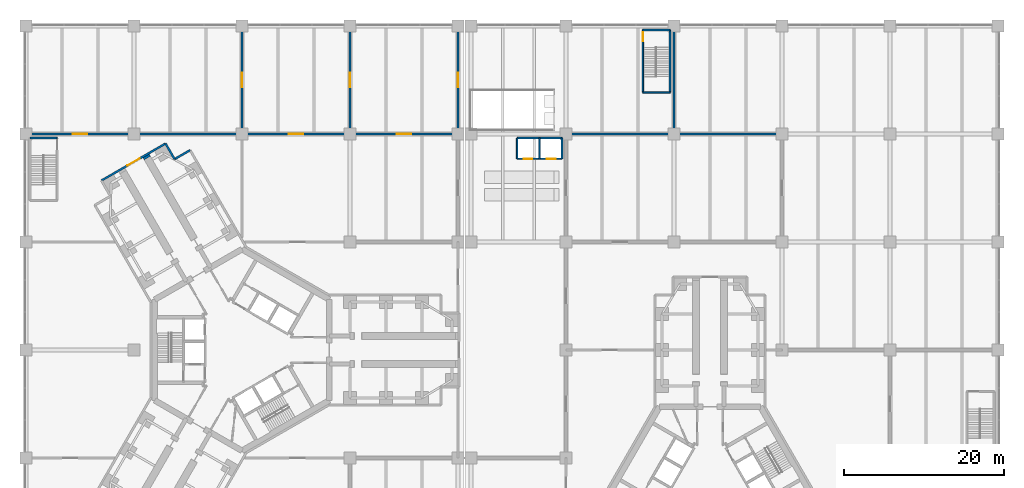
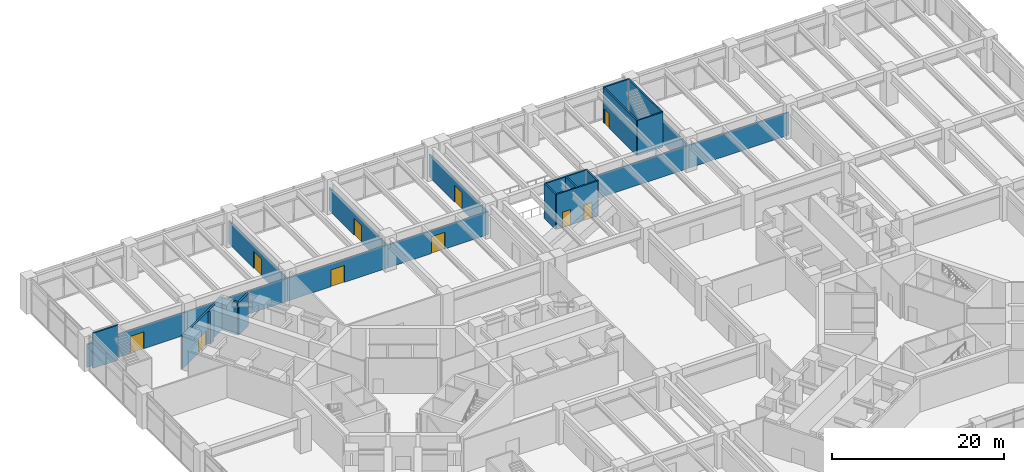
# One storey, part 28 of 32: 24 walls, 10 doors, 10 openings.
"""IFC4 building model written with IfcOpenShell, lengths in metres."""

from ifc_helpers import new_model, si_unit, direction, frame, frame_2d, origin, place, context, subcontext, project, spatial, rectangle, extrude, material, layer, layer_set, type_object, element, fill, save


model = new_model("IFC4")

# Units and contexts
model_context = context("Model", 3, precision=1e-05, world=origin(), true_north=direction((0.0, 1.0)))
body_context = subcontext(model_context, "Body", "Model", "MODEL_VIEW")
ifc_project = project(units=[si_unit("LENGTHUNIT", "METRE"), si_unit("AREAUNIT", "SQUARE_METRE"), si_unit("VOLUMEUNIT", "CUBIC_METRE"), si_unit("PLANEANGLEUNIT", "RADIAN"), si_unit("MASSUNIT", "GRAM", prefix="KILO")], contexts=[model_context])

# Site, building, storey
site_placement = place(None, origin())
site = spatial("IfcSite", under=ifc_project, at=site_placement, CompositionType="ELEMENT")
building_placement = place(site_placement, origin())
building = spatial("IfcBuilding", under=site, at=building_placement, Name="Upepo Twin Towers", CompositionType="ELEMENT")
storey_placement = place(building_placement, frame((0.0, 0.0, 10.5)))
storey = spatial("IfcBuildingStorey", under=building, at=storey_placement, Name="L02", CompositionType="ELEMENT", Elevation=10.5)

# Wall
ifc_material_1 = material(Name="Dense concrete blockwork", Category="masonry")
ifc_layer_1 = layer(ifc_material_1, 0.89990234375)
ifc_layer_set_1 = layer_set([ifc_layer_1], Name="Buttress closer 900, blockwork with fire-stopping to the curtain wall")
wall_type_1 = type_object("IfcWallType", Name="Buttress closer 900, blockwork with fire-stopping to the curtain wall", PredefinedType="PARTITIONING", material=ifc_layer_set_1)
wall_1_placement = place(storey_placement, frame((-11.83447265625, 23.997802734375, 0.0), z_axis=(0.0, 0.0, 1.0), x_axis=(-0.499816412211, 0.866131372301, 0.0)))
element("IfcWall", 1, at=wall_1_placement, inside=storey, type_object=wall_type_1, Name="T1 L02 wing B buttress closer R", PredefinedType="PARTITIONING", context=body_context, shape_type="SweptSolid", body=[
    extrude(rectangle(XDim=0.2998046875, YDim=0.89990234375, at=frame_2d((0.14990234375, 0.0))), origin(), (0.0, 0.0, 1.0), 4.64990234375),
])

# Wall, openings, doors
ifc_material_2 = material(Name="Concrete C40/50", Category="concrete")
ifc_layer_2 = layer(ifc_material_2, 0.199951171875)
ifc_layer_set_2 = layer_set([ifc_layer_2], Name="Concrete C40/50")
wall_type_2 = type_object("IfcWallType", Name="Podium lift shaft wall 200 RC", PredefinedType="SHEAR", material=ifc_layer_set_2)
wall_2_placement = place(storey_placement, frame((34.39990234375, 23.89990234375, 0.0), z_axis=(0.0, 0.0, 1.0), x_axis=(1.0, 0.0, 0.0)))
wall_2 = element("IfcWall", 2, at=wall_2_placement, inside=storey, type_object=wall_type_2, Name="Podium lift shaft L02 wall 1", PredefinedType="SHEAR", context=body_context, shape_type="SweptSolid", body=[
    extrude(rectangle(XDim=5.60009765625, YDim=0.199951171875, at=frame_2d((2.800048828125, 0.0))), origin(), (0.0, 0.0, 1.0), 5.0),
])
opening_1_placement = place(wall_2_placement, frame((3.699951171875, 0.0, 0.0)))
opening_1 = element("IfcOpeningElement", 3, at=opening_1_placement, cuts=wall_2, Name="Opening LD1", PredefinedType="OPENING", context=body_context, shape_type="SweptSolid", body=[
    extrude(rectangle(XDim=1.10009765625, YDim=2.199951171875, at=frame_2d((0.550048828125, 1.10009765625))), frame((0.0, 0.10986328125, 0.0), z_axis=(0.0, -1.0, 0.0), x_axis=(1.0, 0.0, 0.0)), (0.0, 0.0, 1.0), 0.219970703125),
])
opening_2_placement = place(wall_2_placement, frame((0.800048828125, 0.0, 0.0)))
opening_2 = element("IfcOpeningElement", 4, at=opening_2_placement, cuts=wall_2, Name="Opening LD1", PredefinedType="OPENING", context=body_context, shape_type="SweptSolid", body=[
    extrude(rectangle(XDim=1.10009765625, YDim=2.199951171875, at=frame_2d((0.550048828125, 1.10009765625))), frame((0.0, 0.10986328125, 0.0), z_axis=(0.0, -1.0, 0.0), x_axis=(1.0, 0.0, 0.0)), (0.0, 0.0, 1.0), 0.219970703125),
])
ifc_material_3 = material(Name="Steel doorset", Category="steel")
door_type_1 = type_object("IfcDoorType", Name="Lift landing door 1100", OperationType="DOUBLE_DOOR_SLIDING", PredefinedType="DOOR", material=ifc_material_3)
door_1_placement = place(opening_1_placement, origin())
door_1 = element("IfcDoor", 5, at=door_1_placement, inside=storey, type_object=door_type_1, Name="Podium L02 lift PL1 landing door", OperationType="DOUBLE_DOOR_SLIDING", OverallHeight=2.199951171875, OverallWidth=1.10009765625, PredefinedType="DOOR", context=body_context, shape_type="SweptSolid", body=[
    extrude(rectangle(XDim=1.10009765625, YDim=2.199951171875, at=frame_2d((0.550048828125, 1.10009765625))), frame((0.0, 0.02490234375, 0.0), z_axis=(0.0, -1.0, 0.0), x_axis=(1.0, 0.0, 0.0)), (0.0, 0.0, 1.0), 0.050048828125),
])
fill(opening_1, door_1)
door_2_placement = place(opening_2_placement, origin())
door_2 = element("IfcDoor", 6, at=door_2_placement, inside=storey, type_object=door_type_1, Name="Podium L02 lift PL2 landing door", OperationType="DOUBLE_DOOR_SLIDING", OverallHeight=2.199951171875, OverallWidth=1.10009765625, PredefinedType="DOOR", context=body_context, shape_type="SweptSolid", body=[
    extrude(rectangle(XDim=1.10009765625, YDim=2.199951171875, at=frame_2d((0.550048828125, 1.10009765625))), frame((0.0, 0.02490234375, 0.0), z_axis=(0.0, -1.0, 0.0), x_axis=(1.0, 0.0, 0.0)), (0.0, 0.0, 1.0), 0.050048828125),
])
fill(opening_2, door_2)

# Walls
wall_3_placement = place(storey_placement, frame((40.0, 23.89990234375, 0.0), z_axis=(0.0, 0.0, 1.0), x_axis=(0.0, 1.0, 0.0)))
element("IfcWall", 7, at=wall_3_placement, inside=storey, type_object=wall_type_2, Name="Podium lift shaft L02 wall 2", PredefinedType="SHEAR", context=body_context, shape_type="SweptSolid", body=[
    extrude(rectangle(XDim=2.60009765625, YDim=0.199951171875, at=frame_2d((1.300048828125, 0.0))), origin(), (0.0, 0.0, 1.0), 5.0),
])
wall_4_placement = place(storey_placement, frame((40.0, 26.5, 0.0), z_axis=(0.0, 0.0, 1.0), x_axis=(-1.0, 0.0, 0.0)))
element("IfcWall", 8, at=wall_4_placement, inside=storey, type_object=wall_type_2, Name="Podium lift shaft L02 wall 3", PredefinedType="SHEAR", context=body_context, shape_type="SweptSolid", body=[
    extrude(rectangle(XDim=5.60009765625, YDim=0.199951171875, at=frame_2d((2.800048828125, 0.0))), origin(), (0.0, 0.0, 1.0), 5.0),
])
for number, where, z_axis, x_axis, name in (
    (9, (34.39990234375, 26.5, 0.0), (0.0, 0.0, 1.0), (0.0, -1.0, 0.0), "Podium lift shaft L02 wall 4"),
    (10, (37.199951171875, 23.89990234375, 0.0), (0.0, 0.0, 1.0), (0.0, 1.0, 0.0), "Podium lift shaft L02 wall 5"),
):
    element("IfcWall", number, at=place(storey_placement, frame(where, z_axis=z_axis, x_axis=x_axis)), inside=storey, type_object=wall_type_2, Name=name, PredefinedType="SHEAR", context=body_context, shape_type="SweptSolid", body=[
        extrude(rectangle(XDim=2.60009765625, YDim=0.199951171875, at=frame_2d((1.300048828125, 0.0))), origin(), (0.0, 0.0, 1.0), 5.0),
    ])

# Wall, opening, door
ifc_material_4 = material(Name="Concrete blockwork", Category="masonry")
ifc_layer_3 = layer(ifc_material_4, 0.199951171875)
ifc_layer_set_3 = layer_set([ifc_layer_3], Name="Podium partition 200 blockwork")
wall_type_3 = type_object("IfcWallType", Name="Podium partition 200 blockwork", PredefinedType="PARTITIONING", material=ifc_layer_set_3)
wall_5_placement = place(storey_placement, frame((-27.0, 27.0, 0.0), z_axis=(0.0, 0.0, 1.0), x_axis=(1.0, 0.0, 0.0)))
wall_5 = element("IfcWall", 11, at=wall_5_placement, inside=storey, type_object=wall_type_3, Name="L02 podium wall Y05", PredefinedType="PARTITIONING", context=body_context, shape_type="SweptSolid", body=[
    extrude(rectangle(XDim=13.5, YDim=0.199951171875, at=frame_2d((6.75, 0.0))), origin(), (0.0, 0.0, 1.0), 3.25),
])
opening_3_placement = place(wall_5_placement, frame((5.85009765625, 0.0, 0.0)))
opening_3 = element("IfcOpeningElement", 12, at=opening_3_placement, cuts=wall_5, Name="Opening D10", PredefinedType="OPENING", context=body_context, shape_type="SweptSolid", body=[
    extrude(rectangle(XDim=1.800048828125, YDim=2.39990234375, at=frame_2d((0.89990234375, 1.199951171875))), frame((0.0, 0.10986328125, 0.0), z_axis=(0.0, -1.0, 0.0), x_axis=(1.0, 0.0, 0.0)), (0.0, 0.0, 1.0), 0.219970703125),
])
ifc_material_5 = material(Name="Timber doorset", Category="wood")
door_type_2 = type_object("IfcDoorType", Name="Podium double door 1800", OperationType="DOUBLE_DOOR_DOUBLE_SWING", PredefinedType="DOOR", material=ifc_material_5)
door_3_placement = place(opening_3_placement, origin())
door_3 = element("IfcDoor", 13, at=door_3_placement, inside=storey, type_object=door_type_2, Name="L02 archive and special collections door", OperationType="DOUBLE_DOOR_DOUBLE_SWING", OverallHeight=2.39990234375, OverallWidth=1.800048828125, PredefinedType="DOOR", context=body_context, shape_type="SweptSolid", body=[
    extrude(rectangle(XDim=1.800048828125, YDim=2.39990234375, at=frame_2d((0.89990234375, 1.199951171875))), frame((0.0, 0.02490234375, 0.0), z_axis=(0.0, -1.0, 0.0), x_axis=(1.0, 0.0, 0.0)), (0.0, 0.0, 1.0), 0.050048828125),
])
fill(opening_3, door_3)

# Wall
wall_6_placement = place(storey_placement, frame((-13.5, 27.0, 0.0), z_axis=(0.0, 0.0, 1.0), x_axis=(1.0, 0.0, 0.0)))
element("IfcWall", 14, at=wall_6_placement, inside=storey, type_object=wall_type_3, Name="L02 podium wall Y15", PredefinedType="PARTITIONING", context=body_context, shape_type="SweptSolid", body=[
    extrude(rectangle(XDim=13.5, YDim=0.199951171875, at=frame_2d((6.75, 0.0))), origin(), (0.0, 0.0, 1.0), 3.25),
])

# Wall, opening, door
wall_7_placement = place(storey_placement, frame((0.0, 27.0, 0.0), z_axis=(0.0, 0.0, 1.0), x_axis=(0.0, 1.0, 0.0)))
wall_7 = element("IfcWall", 15, at=wall_7_placement, inside=storey, type_object=wall_type_3, Name="L02 podium wall X25", PredefinedType="PARTITIONING", context=body_context, shape_type="SweptSolid", body=[
    extrude(rectangle(XDim=13.5, YDim=0.199951171875, at=frame_2d((6.75, 0.0))), origin(), (0.0, 0.0, 1.0), 3.25),
])
opening_4_placement = place(wall_7_placement, frame((5.85009765625, 0.0, 0.0)))
opening_4 = element("IfcOpeningElement", 16, at=opening_4_placement, cuts=wall_7, Name="Opening D10", PredefinedType="OPENING", context=body_context, shape_type="SweptSolid", body=[
    extrude(rectangle(XDim=1.800048828125, YDim=2.39990234375, at=frame_2d((0.89990234375, 1.199951171875))), frame((0.0, 0.10986328125, 0.0), z_axis=(0.0, -1.0, 0.0), x_axis=(1.0, 0.0, 0.0)), (0.0, 0.0, 1.0), 0.219970703125),
])
door_4_placement = place(opening_4_placement, origin())
door_4 = element("IfcDoor", 17, at=door_4_placement, inside=storey, type_object=door_type_2, Name="L02 archive and special collections-library stacks 2.04 door", OperationType="DOUBLE_DOOR_DOUBLE_SWING", OverallHeight=2.39990234375, OverallWidth=1.800048828125, PredefinedType="DOOR", context=body_context, shape_type="SweptSolid", body=[
    extrude(rectangle(XDim=1.800048828125, YDim=2.39990234375, at=frame_2d((0.89990234375, 1.199951171875))), frame((0.0, 0.02490234375, 0.0), z_axis=(0.0, -1.0, 0.0), x_axis=(1.0, 0.0, 0.0)), (0.0, 0.0, 1.0), 0.050048828125),
])
fill(opening_4, door_4)

wall_8_placement = place(storey_placement, frame((0.0, 27.0, 0.0), z_axis=(0.0, 0.0, 1.0), x_axis=(1.0, 0.0, 0.0)))
wall_8 = element("IfcWall", 18, at=wall_8_placement, inside=storey, type_object=wall_type_3, Name="L02 podium wall Y25", PredefinedType="PARTITIONING", context=body_context, shape_type="SweptSolid", body=[
    extrude(rectangle(XDim=13.5, YDim=0.199951171875, at=frame_2d((6.75, 0.0))), origin(), (0.0, 0.0, 1.0), 3.25),
])
opening_5_placement = place(wall_8_placement, frame((5.85009765625, 0.0, 0.0)))
opening_5 = element("IfcOpeningElement", 19, at=opening_5_placement, cuts=wall_8, Name="Opening D10", PredefinedType="OPENING", context=body_context, shape_type="SweptSolid", body=[
    extrude(rectangle(XDim=1.800048828125, YDim=2.39990234375, at=frame_2d((0.89990234375, 1.199951171875))), frame((0.0, 0.10986328125, 0.0), z_axis=(0.0, -1.0, 0.0), x_axis=(1.0, 0.0, 0.0)), (0.0, 0.0, 1.0), 0.219970703125),
])
door_5_placement = place(opening_5_placement, origin())
door_5 = element("IfcDoor", 20, at=door_5_placement, inside=storey, type_object=door_type_2, Name="L02 staff offices 2.02-library stacks 2.04 door", OperationType="DOUBLE_DOOR_DOUBLE_SWING", OverallHeight=2.39990234375, OverallWidth=1.800048828125, PredefinedType="DOOR", context=body_context, shape_type="SweptSolid", body=[
    extrude(rectangle(XDim=1.800048828125, YDim=2.39990234375, at=frame_2d((0.89990234375, 1.199951171875))), frame((0.0, 0.02490234375, 0.0), z_axis=(0.0, -1.0, 0.0), x_axis=(1.0, 0.0, 0.0)), (0.0, 0.0, 1.0), 0.050048828125),
])
fill(opening_5, door_5)

wall_9_placement = place(storey_placement, frame((13.5, 27.0, 0.0), z_axis=(0.0, 0.0, 1.0), x_axis=(0.0, 1.0, 0.0)))
wall_9 = element("IfcWall", 21, at=wall_9_placement, inside=storey, type_object=wall_type_3, Name="L02 podium wall X35", PredefinedType="PARTITIONING", context=body_context, shape_type="SweptSolid", body=[
    extrude(rectangle(XDim=13.5, YDim=0.199951171875, at=frame_2d((6.75, 0.0))), origin(), (0.0, 0.0, 1.0), 3.25),
])
opening_6_placement = place(wall_9_placement, frame((5.85009765625, 0.0, 0.0)))
opening_6 = element("IfcOpeningElement", 22, at=opening_6_placement, cuts=wall_9, Name="Opening D10", PredefinedType="OPENING", context=body_context, shape_type="SweptSolid", body=[
    extrude(rectangle(XDim=1.800048828125, YDim=2.39990234375, at=frame_2d((0.89990234375, 1.199951171875))), frame((0.0, 0.10986328125, 0.0), z_axis=(0.0, -1.0, 0.0), x_axis=(1.0, 0.0, 0.0)), (0.0, 0.0, 1.0), 0.219970703125),
])
door_6_placement = place(opening_6_placement, origin())
door_6 = element("IfcDoor", 23, at=door_6_placement, inside=storey, type_object=door_type_2, Name="L02 library stacks 2.04-archive store door", OperationType="DOUBLE_DOOR_DOUBLE_SWING", OverallHeight=2.39990234375, OverallWidth=1.800048828125, PredefinedType="DOOR", context=body_context, shape_type="SweptSolid", body=[
    extrude(rectangle(XDim=1.800048828125, YDim=2.39990234375, at=frame_2d((0.89990234375, 1.199951171875))), frame((0.0, 0.02490234375, 0.0), z_axis=(0.0, -1.0, 0.0), x_axis=(1.0, 0.0, 0.0)), (0.0, 0.0, 1.0), 0.050048828125),
])
fill(opening_6, door_6)

wall_10_placement = place(storey_placement, frame((13.5, 27.0, 0.0), z_axis=(0.0, 0.0, 1.0), x_axis=(1.0, 0.0, 0.0)))
wall_10 = element("IfcWall", 24, at=wall_10_placement, inside=storey, type_object=wall_type_3, Name="L02 podium wall Y35", PredefinedType="PARTITIONING", context=body_context, shape_type="SweptSolid", body=[
    extrude(rectangle(XDim=13.5, YDim=0.199951171875, at=frame_2d((6.75, 0.0))), origin(), (0.0, 0.0, 1.0), 3.25),
])
opening_7_placement = place(wall_10_placement, frame((5.85009765625, 0.0, 0.0)))
opening_7 = element("IfcOpeningElement", 25, at=opening_7_placement, cuts=wall_10, Name="Opening D10", PredefinedType="OPENING", context=body_context, shape_type="SweptSolid", body=[
    extrude(rectangle(XDim=1.800048828125, YDim=2.39990234375, at=frame_2d((0.89990234375, 1.199951171875))), frame((0.0, 0.10986328125, 0.0), z_axis=(0.0, -1.0, 0.0), x_axis=(1.0, 0.0, 0.0)), (0.0, 0.0, 1.0), 0.219970703125),
])
door_7_placement = place(opening_7_placement, origin())
door_7 = element("IfcDoor", 26, at=door_7_placement, inside=storey, type_object=door_type_2, Name="L02 staff offices 2.02-archive store door", OperationType="DOUBLE_DOOR_DOUBLE_SWING", OverallHeight=2.39990234375, OverallWidth=1.800048828125, PredefinedType="DOOR", context=body_context, shape_type="SweptSolid", body=[
    extrude(rectangle(XDim=1.800048828125, YDim=2.39990234375, at=frame_2d((0.89990234375, 1.199951171875))), frame((0.0, 0.02490234375, 0.0), z_axis=(0.0, -1.0, 0.0), x_axis=(1.0, 0.0, 0.0)), (0.0, 0.0, 1.0), 0.050048828125),
])
fill(opening_7, door_7)

wall_11_placement = place(storey_placement, frame((27.0, 27.0, 0.0), z_axis=(0.0, 0.0, 1.0), x_axis=(0.0, 1.0, 0.0)))
wall_11 = element("IfcWall", 27, at=wall_11_placement, inside=storey, type_object=wall_type_3, Name="L02 podium wall X45", PredefinedType="PARTITIONING", context=body_context, shape_type="SweptSolid", body=[
    extrude(rectangle(XDim=13.5, YDim=0.199951171875, at=frame_2d((6.75, 0.0))), origin(), (0.0, 0.0, 1.0), 3.25),
])
opening_8_placement = place(wall_11_placement, frame((5.85009765625, 0.0, 0.0)))
opening_8 = element("IfcOpeningElement", 28, at=opening_8_placement, cuts=wall_11, Name="Opening D10", PredefinedType="OPENING", context=body_context, shape_type="SweptSolid", body=[
    extrude(rectangle(XDim=1.800048828125, YDim=2.39990234375, at=frame_2d((0.89990234375, 1.199951171875))), frame((0.0, 0.10986328125, 0.0), z_axis=(0.0, -1.0, 0.0), x_axis=(1.0, 0.0, 0.0)), (0.0, 0.0, 1.0), 0.219970703125),
])
door_8_placement = place(opening_8_placement, origin())
door_8 = element("IfcDoor", 29, at=door_8_placement, inside=storey, type_object=door_type_2, Name="L02 archive store door", OperationType="DOUBLE_DOOR_DOUBLE_SWING", OverallHeight=2.39990234375, OverallWidth=1.800048828125, PredefinedType="DOOR", context=body_context, shape_type="SweptSolid", body=[
    extrude(rectangle(XDim=1.800048828125, YDim=2.39990234375, at=frame_2d((0.89990234375, 1.199951171875))), frame((0.0, 0.02490234375, 0.0), z_axis=(0.0, -1.0, 0.0), x_axis=(1.0, 0.0, 0.0)), (0.0, 0.0, 1.0), 0.050048828125),
])
fill(opening_8, door_8)

# Walls
for number, where, z_axis, x_axis, name in (
    (30, (40.5, 27.0, 0.0), (0.0, 0.0, 1.0), (1.0, 0.0, 0.0), "L02 podium wall Y55"),
    (31, (54.0, 27.0, 0.0), (0.0, 0.0, 1.0), (0.0, 1.0, 0.0), "L02 podium wall X65"),
    (32, (54.0, 27.0, 0.0), (0.0, 0.0, 1.0), (1.0, 0.0, 0.0), "L02 podium wall Y65"),
):
    element("IfcWall", number, at=place(storey_placement, frame(where, z_axis=z_axis, x_axis=x_axis)), inside=storey, type_object=wall_type_3, Name=name, PredefinedType="PARTITIONING", context=body_context, shape_type="SweptSolid", body=[
        extrude(rectangle(XDim=13.5, YDim=0.199951171875, at=frame_2d((6.75, 0.0))), origin(), (0.0, 0.0, 1.0), 3.25),
    ])
ifc_material_6 = material(Name="Concrete C40/50", Category="concrete")
ifc_layer_4 = layer(ifc_material_6, 0.199951171875)
ifc_layer_set_4 = layer_set([ifc_layer_4], Name="Concrete C40/50")
wall_type_4 = type_object("IfcWallType", Name="Podium stair enclosure 200 RC", PredefinedType="SHEAR", material=ifc_layer_set_4)
for number, where, z_axis, x_axis, name in (
    (33, (-23.10009765625, 26.5, 0.0), (0.0, 0.0, 1.0), (-1.0, 0.0, 0.0), "PS1 L02 enclosure wall 3"),
    (34, (50.10009765625, 32.199951171875, 0.0), (0.0, 0.0, 1.0), (1.0, 0.0, 0.0), "PS4 L02 enclosure wall 1"),
):
    element("IfcWall", number, at=place(storey_placement, frame(where, z_axis=z_axis, x_axis=x_axis)), inside=storey, type_object=wall_type_4, Name=name, PredefinedType="SHEAR", context=body_context, shape_type="SweptSolid", body=[
        extrude(rectangle(XDim=3.39990234375, YDim=0.199951171875, at=frame_2d((1.699951171875, 0.0))), origin(), (0.0, 0.0, 1.0), 5.0),
    ])
wall_12_placement = place(storey_placement, frame((53.5, 32.199951171875, 0.0), z_axis=(0.0, 0.0, 1.0), x_axis=(0.0, 1.0, 0.0)))
element("IfcWall", 35, at=wall_12_placement, inside=storey, type_object=wall_type_4, Name="PS4 L02 enclosure wall 2", PredefinedType="SHEAR", context=body_context, shape_type="SweptSolid", body=[
    extrude(rectangle(XDim=7.800048828125, YDim=0.199951171875, at=frame_2d((3.89990234375, 0.0))), origin(), (0.0, 0.0, 1.0), 5.0),
])
wall_13_placement = place(storey_placement, frame((53.5, 40.0, 0.0), z_axis=(0.0, 0.0, 1.0), x_axis=(-1.0, 0.0, 0.0)))
element("IfcWall", 36, at=wall_13_placement, inside=storey, type_object=wall_type_4, Name="PS4 L02 enclosure wall 3", PredefinedType="SHEAR", context=body_context, shape_type="SweptSolid", body=[
    extrude(rectangle(XDim=3.39990234375, YDim=0.199951171875, at=frame_2d((1.699951171875, 0.0))), origin(), (0.0, 0.0, 1.0), 5.0),
])

# Wall, opening, door
wall_14_placement = place(storey_placement, frame((50.10009765625, 40.0, 0.0), z_axis=(0.0, 0.0, 1.0), x_axis=(0.0, -1.0, 0.0)))
wall_14 = element("IfcWall", 37, at=wall_14_placement, inside=storey, type_object=wall_type_4, Name="PS4 L02 enclosure wall 4", PredefinedType="SHEAR", context=body_context, shape_type="SweptSolid", body=[
    extrude(rectangle(XDim=7.800048828125, YDim=0.199951171875, at=frame_2d((3.89990234375, 0.0))), origin(), (0.0, 0.0, 1.0), 5.0),
])
opening_9_placement = place(wall_14_placement, frame((0.300048828125, 0.0, 0.0)))
opening_9 = element("IfcOpeningElement", 38, at=opening_9_placement, cuts=wall_14, Name="Opening D3", PredefinedType="OPENING", context=body_context, shape_type="SweptSolid", body=[
    extrude(rectangle(XDim=1.10009765625, YDim=2.10009765625, at=frame_2d((0.550048828125, 1.050048828125))), frame((0.0, 0.10986328125, 0.0), z_axis=(0.0, -1.0, 0.0), x_axis=(1.0, 0.0, 0.0)), (0.0, 0.0, 1.0), 0.219970703125),
])
ifc_material_7 = material(Name="Timber doorset", Category="wood")
door_type_3 = type_object("IfcDoorType", Name="Stair door 1100 FD60", OperationType="SINGLE_SWING_LEFT", PredefinedType="DOOR", material=ifc_material_7)
door_9_placement = place(opening_9_placement, origin())
door_9 = element("IfcDoor", 39, at=door_9_placement, inside=storey, type_object=door_type_3, Name="PS4 L02 door", OperationType="SINGLE_SWING_LEFT", OverallHeight=2.10009765625, OverallWidth=1.10009765625, PredefinedType="DOOR", context=body_context, shape_type="SweptSolid", body=[
    extrude(rectangle(XDim=1.10009765625, YDim=2.10009765625, at=frame_2d((0.550048828125, 1.050048828125))), frame((0.0, 0.02490234375, 0.0), z_axis=(0.0, -1.0, 0.0), x_axis=(1.0, 0.0, 0.0)), (0.0, 0.0, 1.0), 0.050048828125),
])
fill(opening_9, door_9)

ifc_material_8 = material(Name="Concrete blockwork", Category="masonry")
ifc_layer_5 = layer(ifc_material_8, 0.25)
ifc_layer_set_5 = layer_set([ifc_layer_5], Name="Tower enclosure wall 250 blockwork")
wall_type_5 = type_object("IfcWallType", Name="Tower enclosure wall 250 blockwork", PredefinedType="STANDARD", material=ifc_layer_set_5)
wall_15_placement = place(storey_placement, frame((-17.56787109375, 21.178466796875, 0.0), z_axis=(0.0, 0.0, 1.0), x_axis=(0.866025598446, 0.499999662836, 0.0)))
wall_15 = element("IfcWall", 40, at=wall_15_placement, inside=storey, type_object=wall_type_5, Name="T1 L02 enclosure wall 10", PredefinedType="STANDARD", context=body_context, shape_type="SweptSolid", body=[
    extrude(rectangle(XDim=9.25, YDim=0.25, at=frame_2d((4.625, 0.0))), origin(), (0.0, 0.0, 1.0), 4.64990234375),
])
opening_10_placement = place(wall_15_placement, frame((3.72509765625, 0.0, 0.0)))
opening_10 = element("IfcOpeningElement", 41, at=opening_10_placement, cuts=wall_15, Name="Opening D2", PredefinedType="OPENING", context=body_context, shape_type="SweptSolid", body=[
    extrude(rectangle(XDim=1.800048828125, YDim=2.10009765625, at=frame_2d((0.89990234375, 1.050048828125))), frame((0.0, 0.135009765625, 0.0), z_axis=(0.0, -1.0, 0.0), x_axis=(1.0, 0.0, 0.0)), (0.0, 0.0, 1.0), 0.27001953125),
])
ifc_material_9 = material(Name="Timber doorset", Category="wood")
door_type_4 = type_object("IfcDoorType", Name="Corridor double door 1800 FD60", OperationType="DOUBLE_DOOR_DOUBLE_SWING", PredefinedType="DOOR", material=ifc_material_9)
door_10_placement = place(opening_10_placement, origin())
door_10 = element("IfcDoor", 42, at=door_10_placement, inside=storey, type_object=door_type_4, Name="T1 L02 wing B podium door", OperationType="DOUBLE_DOOR_DOUBLE_SWING", OverallHeight=2.10009765625, OverallWidth=1.800048828125, PredefinedType="DOOR", context=body_context, shape_type="SweptSolid", body=[
    extrude(rectangle(XDim=1.800048828125, YDim=2.10009765625, at=frame_2d((0.89990234375, 1.050048828125))), frame((0.0, 0.02490234375, 0.0), z_axis=(0.0, -1.0, 0.0), x_axis=(1.0, 0.0, 0.0)), (0.0, 0.0, 1.0), 0.050048828125),
])
fill(opening_10, door_10)

# Walls
for number, where, z_axis, x_axis, name in (
    (43, (-9.55712890625, 25.803466796875, 0.0), (0.0, 0.0, 1.0), (0.500013631625, -0.866017533419, 0.0), "T1 L02 enclosure wall 11"),
    (44, (-8.43212890625, 23.85498046875, 0.0), (0.0, 0.0, 1.0), (0.866017533419, 0.500013631625, 0.0), "T1 L02 enclosure wall 12"),
):
    element("IfcWall", number, at=place(storey_placement, frame(where, z_axis=z_axis, x_axis=x_axis)), inside=storey, type_object=wall_type_5, Name=name, PredefinedType="STANDARD", context=body_context, shape_type="SweptSolid", body=[
        extrude(rectangle(XDim=2.25, YDim=0.25, at=frame_2d((1.125, 0.0))), origin(), (0.0, 0.0, 1.0), 4.64990234375),
    ])

save(model, "model.ifc")
